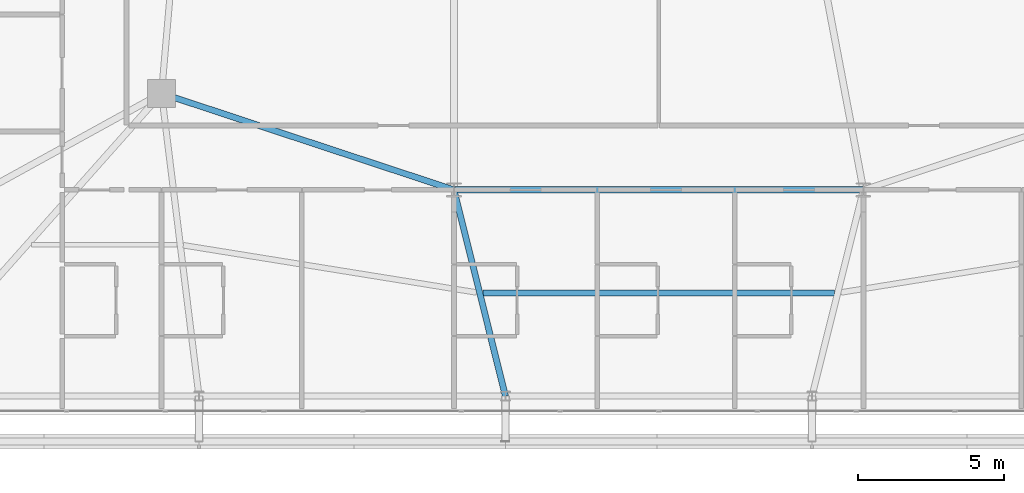
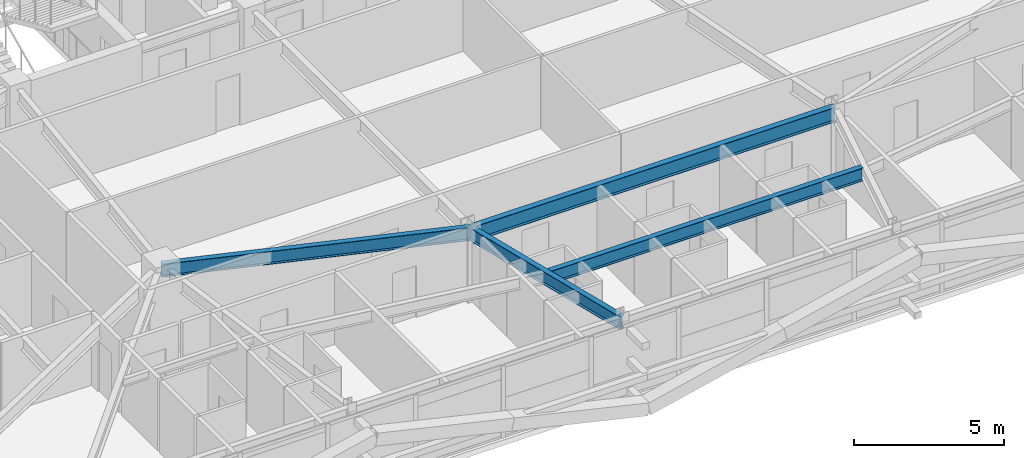
# One storey, part 13 of 59: 4 beams.
"""IFC4 building model written with IfcOpenShell, lengths in metres."""

from ifc_helpers import new_model, si_unit, direction, frame, origin, origin_2d, place, context, subcontext, project, spatial, i_section, extrude, source, transform, mapped, material, material_profile, profile_set, type_object, element, save


model = new_model("IFC4")

# Units and contexts
model_context = context("Model", 3, precision=1e-05, world=origin(), true_north=direction((0.0, 1.0)))
body_context = subcontext(model_context, "Body", "Model", "MODEL_VIEW")
ifc_project = project(units=[si_unit("LENGTHUNIT", "METRE"), si_unit("AREAUNIT", "SQUARE_METRE"), si_unit("VOLUMEUNIT", "CUBIC_METRE"), si_unit("PLANEANGLEUNIT", "RADIAN"), si_unit("MASSUNIT", "GRAM", prefix="KILO")], contexts=[model_context])

# Site, building, storey
site_placement = place(None, origin())
site = spatial("IfcSite", under=ifc_project, at=site_placement, CompositionType="ELEMENT")
building_placement = place(site_placement, origin())
building = spatial("IfcBuilding", under=site, at=building_placement, Name="Taldren Reach Tower", CompositionType="ELEMENT")
storey_placement = place(building_placement, frame((0.0, 0.0, 23.10009765625)))
storey = spatial("IfcBuildingStorey", under=building, at=storey_placement, Name="L06", CompositionType="ELEMENT", Elevation=23.10009765625)

# Beams
ifc_material = material(Name="Steel Gr 350 (350PLUS)", Category="steel")
ifc_material_profile_1 = material_profile(ifc_material, i_section(OverallWidth=0.208984375, OverallDepth=0.532958984375, WebThickness=0.01025390625, FlangeThickness=0.015625, at=origin_2d()), Name="530UB92.4")
ifc_profile_set_1 = profile_set([ifc_material_profile_1], Name="Steel Gr 350 (350PLUS)")
beam_type_1 = type_object("IfcBeamType", Name="BM-UB530A", PredefinedType="BEAM", material=ifc_profile_set_1)
shared_shape_1 = source(origin(), body_context, "Body", "SweptSolid", [
    extrude(i_section(OverallWidth=0.208984375, OverallDepth=0.532958984375, WebThickness=0.01025390625, FlangeThickness=0.015625, at=origin_2d()), origin(), (0.0, 0.0, 1.0), 10.530517578125),
])
beam_1_placement = place(storey_placement, frame((18.0, 12.5, 2.663330078125), z_axis=(0.949627269203, -0.313381635689, 0.0), x_axis=(0.313381635689, 0.949627269203, 0.0)))
element("IfcBeam", 1, at=beam_1_placement, inside=storey, type_object=beam_type_1, Name="Core-spine girder L06-SP10", PredefinedType="BEAM", context=body_context, shape_type="MappedRepresentation", body=[
    mapped(shared_shape_1, transform((0.0, 0.0, 0.0), scale=1.0)),
])
ifc_material_profile_2 = material_profile(ifc_material, i_section(OverallWidth=0.22802734375, OverallDepth=0.60205078125, WebThickness=0.010498046875, FlangeThickness=0.014892578125, at=origin_2d()), Name="610UB101")
ifc_profile_set_2 = profile_set([ifc_material_profile_2], Name="Steel Gr 350 (350PLUS)")
beam_type_2 = type_object("IfcBeamType", Name="BM-UB610B", PredefinedType="BEAM", material=ifc_profile_set_2)
shared_shape_2 = source(origin(), body_context, "Body", "SweptSolid", [
    extrude(i_section(OverallWidth=0.22802734375, OverallDepth=0.60205078125, WebThickness=0.010498046875, FlangeThickness=0.014892578125, at=origin_2d()), origin(), (0.0, 0.0, 1.0), 14.0),
])
beam_2_placement = place(storey_placement, frame((28.0, 9.199951171875, 2.62890625), z_axis=(1.0, 0.0, 0.0), x_axis=(0.0, 1.0, 0.0)))
element("IfcBeam", 2, at=beam_2_placement, inside=storey, type_object=beam_type_2, Name="Core-spine girder L06-SP11", PredefinedType="BEAM", context=body_context, shape_type="MappedRepresentation", body=[
    mapped(shared_shape_2, transform((0.0, 0.0, 0.0), scale=1.0)),
])
shared_shape_3 = source(origin(), body_context, "Body", "SweptSolid", [
    extrude(i_section(OverallWidth=0.208984375, OverallDepth=0.532958984375, WebThickness=0.01025390625, FlangeThickness=0.015625, at=origin_2d()), origin(), (0.0, 0.0, 1.0), 7.266357421875),
])
beam_3_placement = place(storey_placement, frame((28.0, 9.199951171875, 2.663330078125), z_axis=(0.24221148493, -0.970223477642, 0.0), x_axis=(0.970223477642, 0.24221148493, 0.0)))
element("IfcBeam", 3, at=beam_3_placement, inside=storey, type_object=beam_type_1, Name="Primary floor girder B1-S3 L06", PredefinedType="BEAM", context=body_context, shape_type="MappedRepresentation", body=[
    mapped(shared_shape_3, transform((0.0, 0.0, 0.0), scale=1.0)),
])
shared_shape_4 = source(origin(), body_context, "Body", "SweptSolid", [
    extrude(i_section(OverallWidth=0.208984375, OverallDepth=0.532958984375, WebThickness=0.01025390625, FlangeThickness=0.015625, at=origin_2d()), origin(), (0.0, 0.0, 1.0), 12.0244140625),
])
beam_4_placement = place(storey_placement, frame((28.98779296875, 5.675048828125, 2.663330078125), z_axis=(1.0, 0.0, 0.0), x_axis=(0.0, 1.0, 0.0)))
element("IfcBeam", 4, at=beam_4_placement, inside=storey, type_object=beam_type_1, Name="Secondary floor beam B1 J3 L06", PredefinedType="BEAM", context=body_context, shape_type="MappedRepresentation", body=[
    mapped(shared_shape_4, transform((0.0, 0.0, 0.0), scale=1.0)),
])

save(model, "model.ifc")
